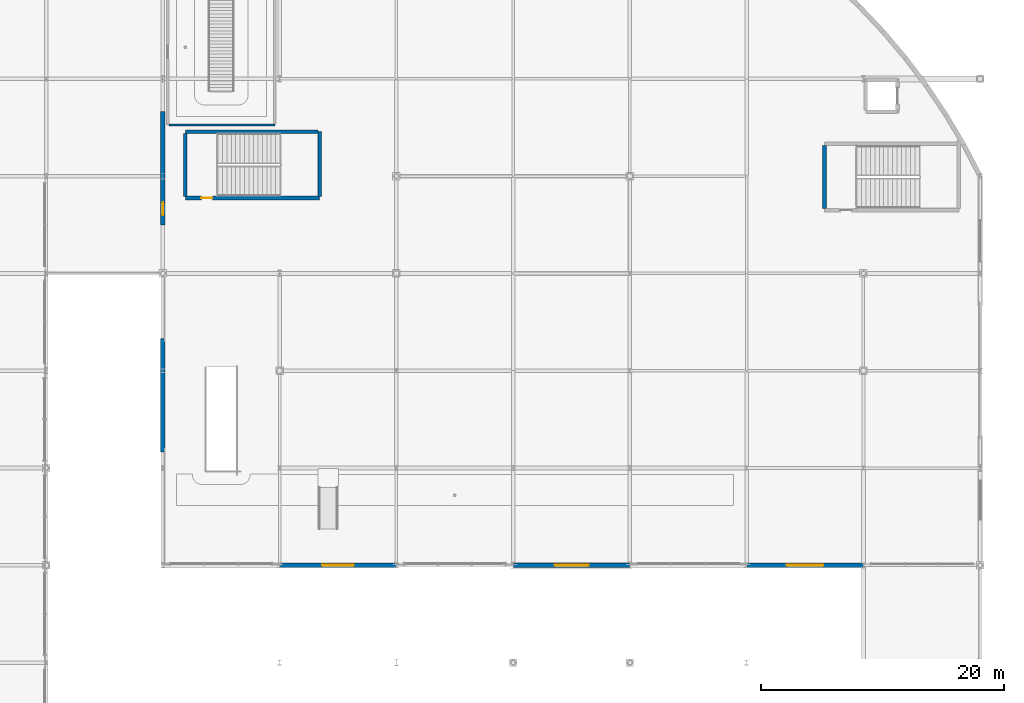
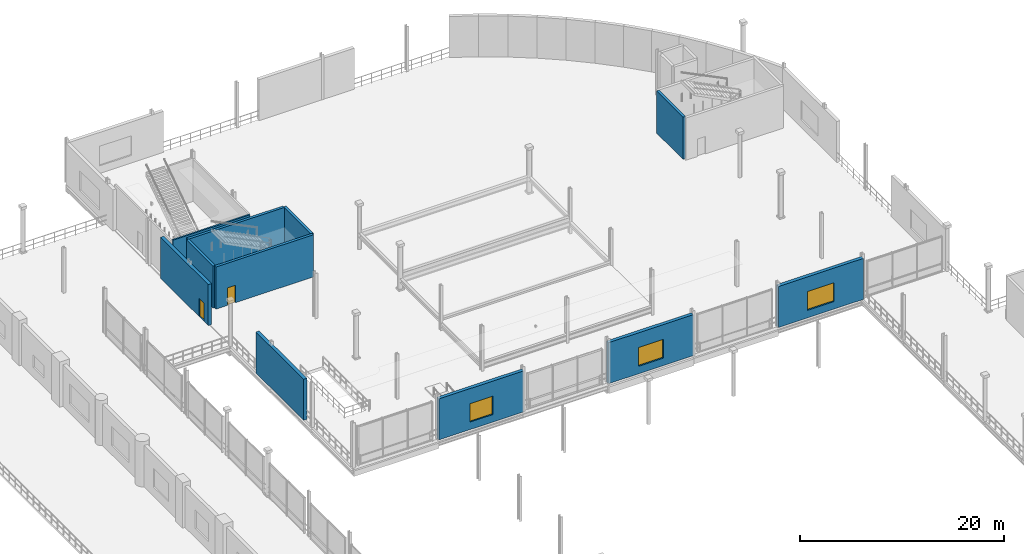
# One storey, part 83 of 129: 11 walls, 3 windows, 2 doors, 5 openings.
"""IFC4 building model written with IfcOpenShell, lengths in metres."""

from ifc_helpers import new_model, si_unit, direction, frame, frame_2d, origin, place, context, subcontext, project, spatial, rectangle, extrude, material, layer, layer_set, type_object, element, fill, save


model = new_model("IFC4")

# Units and contexts
model_context = context("Model", 3, precision=1e-05, world=origin(), true_north=direction((0.0, 1.0)))
body_context = subcontext(model_context, "Body", "Model", "MODEL_VIEW")
ifc_project = project(units=[si_unit("LENGTHUNIT", "METRE"), si_unit("AREAUNIT", "SQUARE_METRE"), si_unit("VOLUMEUNIT", "CUBIC_METRE"), si_unit("PLANEANGLEUNIT", "RADIAN"), si_unit("MASSUNIT", "GRAM", prefix="KILO")], contexts=[model_context])

# Site, building, storey
site_placement = place(None, origin())
site = spatial("IfcSite", under=ifc_project, at=site_placement, CompositionType="ELEMENT")
building_placement = place(site_placement, origin())
building = spatial("IfcBuilding", under=site, at=building_placement, Name="Danafjord Basin Convention Centre", CompositionType="ELEMENT")
storey_placement = place(building_placement, frame((0.0, 0.0, 6.0)))
storey = spatial("IfcBuildingStorey", under=building, at=storey_placement, Name="L01", CompositionType="ELEMENT", Elevation=6.0)

# Wall
ifc_material_1 = material(Name="Concrete C40/50", Category="concrete")
ifc_layer_1 = layer(ifc_material_1, 0.300048828125)
ifc_layer_set_1 = layer_set([ifc_layer_1], Name="Concrete C40/50")
wall_type_1 = type_object("IfcWallType", Name="WALL-CW-CORE300", PredefinedType="SHEAR", material=ifc_layer_set_1)
wall_1_placement = place(storey_placement, frame((188.800048828125, 122.52490234375, 0.0), z_axis=(0.0, 0.0, 1.0), x_axis=(0.0, -1.0, 0.0)))
element("IfcWall", 1, at=wall_1_placement, inside=storey, type_object=wall_type_1, Name="Plenary North-East Core Stair 1 core shear wall (west)", PredefinedType="SHEAR", context=body_context, shape_type="SweptSolid", body=[
    extrude(rectangle(XDim=5.18994140625, YDim=0.300048828125, at=frame_2d((2.594970703125, 0.0))), origin(), (0.0, 0.0, 1.0), 5.0400390625),
])

# Wall, opening, door
wall_2_placement = place(storey_placement, frame((136.25, 118.199951171875, 0.0), z_axis=(0.0, 0.0, 1.0), x_axis=(1.0, 0.0, 0.0)))
wall_2 = element("IfcWall", 2, at=wall_2_placement, inside=storey, type_object=wall_type_1, Name="Plenary West Escape Stair core shear wall (south)", PredefinedType="SHEAR", context=body_context, shape_type="SweptSolid", body=[
    extrude(rectangle(XDim=11.0400390625, YDim=0.300048828125, at=frame_2d((5.52001953125, 0.0))), origin(), (0.0, 0.0, 1.0), 5.0400390625),
])
opening_1_placement = place(wall_2_placement, frame((1.31201171875, 0.0, 0.0)))
opening_1 = element("IfcOpeningElement", 3, at=opening_1_placement, cuts=wall_2, Name="Opening FD-S01", PredefinedType="OPENING", context=body_context, shape_type="SweptSolid", body=[
    extrude(rectangle(XDim=0.909912109375, YDim=2.080078125, at=frame_2d((0.455078125, 1.0400390625))), frame((0.0, 0.159912109375, 0.0), z_axis=(0.0, -1.0, 0.0), x_axis=(1.0, 0.0, 0.0)), (0.0, 0.0, 1.0), 0.320068359375),
])
ifc_material_2 = material(Name="Powder-coated steel and Nordic oak", Category="steel")
door_type_1 = type_object("IfcDoorType", Name="DOOR-FD-S01", OperationType="NOTDEFINED", PredefinedType="DOOR", material=ifc_material_2)
door_1_placement = place(opening_1_placement, origin())
door_1 = element("IfcDoor", 4, at=door_1_placement, inside=storey, type_object=door_type_1, Name="Plenary West Escape Stair L01 Fire Exit Door", OperationType="SINGLE_SWING_RIGHT", OverallHeight=2.080078125, OverallWidth=0.909912109375, PredefinedType="DOOR", context=body_context, shape_type="SweptSolid", body=[
    extrude(rectangle(XDim=0.909912109375, YDim=2.080078125, at=frame_2d((0.455078125, 1.0400390625))), frame((0.0, 0.02490234375, 0.0), z_axis=(0.0, -1.0, 0.0), x_axis=(1.0, 0.0, 0.0)), (0.0, 0.0, 1.0), 0.050048828125),
])
fill(opening_1, door_1)

# Walls
wall_3_placement = place(storey_placement, frame((147.2900390625, 118.3349609375, 0.0), z_axis=(0.0, 0.0, 1.0), x_axis=(0.0, 1.0, 0.0)))
element("IfcWall", 5, at=wall_3_placement, inside=storey, type_object=wall_type_1, Name="Plenary West Escape Stair core shear wall (east)", PredefinedType="SHEAR", context=body_context, shape_type="SweptSolid", body=[
    extrude(rectangle(XDim=5.324951171875, YDim=0.300048828125, at=frame_2d((2.66259765625, 0.0))), origin(), (0.0, 0.0, 1.0), 5.0400390625),
])
wall_4_placement = place(storey_placement, frame((147.155029296875, 123.659912109375, 0.0), z_axis=(0.0, 0.0, 1.0), x_axis=(-1.0, 0.0, 0.0)))
element("IfcWall", 6, at=wall_4_placement, inside=storey, type_object=wall_type_1, Name="Plenary West Escape Stair core shear wall (north)", PredefinedType="SHEAR", context=body_context, shape_type="SweptSolid", body=[
    extrude(rectangle(XDim=10.905029296875, YDim=0.300048828125, at=frame_2d((5.45263671875, 0.0))), origin(), (0.0, 0.0, 1.0), 5.0400390625),
])
wall_5_placement = place(storey_placement, frame((136.25, 123.52490234375, 0.0), z_axis=(0.0, 0.0, 1.0), x_axis=(0.0, -1.0, 0.0)))
element("IfcWall", 7, at=wall_5_placement, inside=storey, type_object=wall_type_1, Name="Plenary West Escape Stair core shear wall (west)", PredefinedType="SHEAR", context=body_context, shape_type="SweptSolid", body=[
    extrude(rectangle(XDim=5.18994140625, YDim=0.300048828125, at=frame_2d((2.594970703125, 0.0))), origin(), (0.0, 0.0, 1.0), 5.0400390625),
])

# Wall, opening, window
ifc_material_3 = material(Name="Precast concrete C45/55", Category="concrete")
ifc_layer_2 = layer(ifc_material_3, 0.3798828125)
ifc_layer_set_2 = layer_set([ifc_layer_2], Name="Precast concrete C45/55")
wall_type_2 = type_object("IfcWallType", Name="WALL-EW-PC380", PredefinedType="SOLIDWALL", material=ifc_layer_set_2)
wall_6_placement = place(storey_placement, frame((144.0, 88.0, 0.0), z_axis=(0.0, 0.0, 1.0), x_axis=(1.0, 0.0, 0.0)))
wall_6 = element("IfcWall", 8, at=wall_6_placement, inside=storey, type_object=wall_type_2, Name="L01 plenary drum precast facet wall", PredefinedType="SOLIDWALL", context=body_context, shape_type="SweptSolid", body=[
    extrude(rectangle(XDim=9.60009765625, YDim=0.3798828125, at=frame_2d((4.800048828125, 0.0))), origin(), (0.0, 0.0, 1.0), 4.89990234375),
])
opening_2_placement = place(wall_6_placement, frame((3.5, 0.0, 0.89990234375)))
opening_2 = element("IfcOpeningElement", 9, at=opening_2_placement, cuts=wall_6, Name="Opening WN-08", PredefinedType="OPENING", context=body_context, shape_type="SweptSolid", body=[
    extrude(rectangle(XDim=2.60009765625, YDim=2.199951171875, at=frame_2d((1.300048828125, 1.10009765625))), frame((0.0, 0.199951171875, 0.0), z_axis=(0.0, -1.0, 0.0), x_axis=(1.0, 0.0, 0.0)), (0.0, 0.0, 1.0), 0.39990234375),
])
ifc_material_4 = material(Name="Thermally broken aluminium and triple low-E glass", Category="aluminium")
window_type_1 = type_object("IfcWindowType", Name="WIN-WN-08", PartitioningType="SINGLE_PANEL", PredefinedType="WINDOW", material=ifc_material_4)
window_1_placement = place(opening_2_placement, origin())
window_1 = element("IfcWindow", 10, at=window_1_placement, inside=storey, type_object=window_type_1, Name="L01 plenary drum window WN-08", OverallHeight=2.199951171875, OverallWidth=2.60009765625, PartitioningType="SINGLE_PANEL", PredefinedType="WINDOW", context=body_context, shape_type="SweptSolid", body=[
    extrude(rectangle(XDim=2.60009765625, YDim=2.199951171875, at=frame_2d((1.300048828125, 1.10009765625))), frame((0.0, 0.030029296875, 0.0), z_axis=(0.0, -1.0, 0.0), x_axis=(1.0, 0.0, 0.0)), (0.0, 0.0, 1.0), 0.06005859375),
])
fill(opening_2, window_1)

wall_7_placement = place(storey_placement, frame((163.199951171875, 88.0, 0.0), z_axis=(0.0, 0.0, 1.0), x_axis=(1.0, 0.0, 0.0)))
wall_7 = element("IfcWall", 11, at=wall_7_placement, inside=storey, type_object=wall_type_2, Name="L01 plenary drum precast facet wall", PredefinedType="SOLIDWALL", context=body_context, shape_type="SweptSolid", body=[
    extrude(rectangle(XDim=9.60009765625, YDim=0.3798828125, at=frame_2d((4.800048828125, 0.0))), origin(), (0.0, 0.0, 1.0), 4.89990234375),
])
opening_3_placement = place(wall_7_placement, frame((3.39990234375, 0.0, 0.89990234375)))
opening_3 = element("IfcOpeningElement", 12, at=opening_3_placement, cuts=wall_7, Name="Opening WN-09", PredefinedType="OPENING", context=body_context, shape_type="SweptSolid", body=[
    extrude(rectangle(XDim=2.800048828125, YDim=2.25, at=frame_2d((1.39990234375, 1.125))), frame((0.0, 0.199951171875, 0.0), z_axis=(0.0, -1.0, 0.0), x_axis=(1.0, 0.0, 0.0)), (0.0, 0.0, 1.0), 0.39990234375),
])
window_type_2 = type_object("IfcWindowType", Name="WIN-WN-09", PartitioningType="SINGLE_PANEL", PredefinedType="WINDOW", material=ifc_material_4)
window_2_placement = place(opening_3_placement, origin())
window_2 = element("IfcWindow", 13, at=window_2_placement, inside=storey, type_object=window_type_2, Name="L01 plenary drum window WN-09", OverallHeight=2.25, OverallWidth=2.800048828125, PartitioningType="SINGLE_PANEL", PredefinedType="WINDOW", context=body_context, shape_type="SweptSolid", body=[
    extrude(rectangle(XDim=2.800048828125, YDim=2.25, at=frame_2d((1.39990234375, 1.125))), frame((0.0, 0.030029296875, 0.0), z_axis=(0.0, -1.0, 0.0), x_axis=(1.0, 0.0, 0.0)), (0.0, 0.0, 1.0), 0.06005859375),
])
fill(opening_3, window_2)

wall_8_placement = place(storey_placement, frame((182.39990234375, 88.0, 0.0), z_axis=(0.0, 0.0, 1.0), x_axis=(1.0, 0.0, 0.0)))
wall_8 = element("IfcWall", 14, at=wall_8_placement, inside=storey, type_object=wall_type_2, Name="L01 plenary drum precast facet wall", PredefinedType="SOLIDWALL", context=body_context, shape_type="SweptSolid", body=[
    extrude(rectangle(XDim=9.60009765625, YDim=0.3798828125, at=frame_2d((4.800048828125, 0.0))), origin(), (0.0, 0.0, 1.0), 4.89990234375),
])
opening_4_placement = place(wall_8_placement, frame((3.300048828125, 0.0, 0.89990234375)))
opening_4 = element("IfcOpeningElement", 15, at=opening_4_placement, cuts=wall_8, Name="Opening WN-10", PredefinedType="OPENING", context=body_context, shape_type="SweptSolid", body=[
    extrude(rectangle(XDim=3.0, YDim=2.25, at=frame_2d((1.5, 1.125))), frame((0.0, 0.199951171875, 0.0), z_axis=(0.0, -1.0, 0.0), x_axis=(1.0, 0.0, 0.0)), (0.0, 0.0, 1.0), 0.39990234375),
])
window_type_3 = type_object("IfcWindowType", Name="WIN-WN-10", PartitioningType="SINGLE_PANEL", PredefinedType="WINDOW", material=ifc_material_4)
window_3_placement = place(opening_4_placement, origin())
window_3 = element("IfcWindow", 16, at=window_3_placement, inside=storey, type_object=window_type_3, Name="L01 plenary drum window WN-10", OverallHeight=2.25, OverallWidth=3.0, PartitioningType="SINGLE_PANEL", PredefinedType="WINDOW", context=body_context, shape_type="SweptSolid", body=[
    extrude(rectangle(XDim=3.0, YDim=2.25, at=frame_2d((1.5, 1.125))), frame((0.0, 0.030029296875, 0.0), z_axis=(0.0, -1.0, 0.0), x_axis=(1.0, 0.0, 0.0)), (0.0, 0.0, 1.0), 0.06005859375),
])
fill(opening_4, window_3)

# Wall, opening, door
wall_9_placement = place(storey_placement, frame((134.39990234375, 125.3330078125, 0.0), z_axis=(0.0, 0.0, 1.0), x_axis=(0.0, -1.0, 0.0)))
wall_9 = element("IfcWall", 17, at=wall_9_placement, inside=storey, type_object=wall_type_2, Name="L01 plenary drum precast facet wall", PredefinedType="SOLIDWALL", context=body_context, shape_type="SweptSolid", body=[
    extrude(rectangle(XDim=9.3330078125, YDim=0.3798828125, at=frame_2d((4.66650390625, 0.0))), origin(), (0.0, 0.0, 1.0), 4.89990234375),
])
opening_5_placement = place(wall_9_placement, frame((7.48291015625, 0.0, 0.0)))
opening_5 = element("IfcOpeningElement", 18, at=opening_5_placement, cuts=wall_9, Name="Opening FD-S06", PredefinedType="OPENING", context=body_context, shape_type="SweptSolid", body=[
    extrude(rectangle(XDim=1.06005859375, YDim=2.159912109375, at=frame_2d((0.530029296875, 1.080078125))), frame((0.0, 0.199951171875, 0.0), z_axis=(0.0, -1.0, 0.0), x_axis=(1.0, 0.0, 0.0)), (0.0, 0.0, 1.0), 0.39990234375),
])
door_type_2 = type_object("IfcDoorType", Name="DOOR-FD-S06", OperationType="NOTDEFINED", PredefinedType="DOOR", material=ifc_material_2)
door_2_placement = place(opening_5_placement, origin())
door_2 = element("IfcDoor", 19, at=door_2_placement, inside=storey, type_object=door_type_2, Name="Skywalk to Plenary Mezzanine Fire Door", OperationType="SINGLE_SWING_LEFT", OverallHeight=2.159912109375, OverallWidth=1.06005859375, PredefinedType="DOOR", context=body_context, shape_type="SweptSolid", body=[
    extrude(rectangle(XDim=1.06005859375, YDim=2.159912109375, at=frame_2d((0.530029296875, 1.080078125))), frame((0.0, 0.02490234375, 0.0), z_axis=(0.0, -1.0, 0.0), x_axis=(1.0, 0.0, 0.0)), (0.0, 0.0, 1.0), 0.050048828125),
])
fill(opening_5, door_2)

# Walls
wall_10_placement = place(storey_placement, frame((134.39990234375, 106.6669921875, 0.0), z_axis=(0.0, 0.0, 1.0), x_axis=(0.0, -1.0, 0.0)))
element("IfcWall", 20, at=wall_10_placement, inside=storey, type_object=wall_type_2, Name="L01 plenary drum precast facet wall", PredefinedType="SOLIDWALL", context=body_context, shape_type="SweptSolid", body=[
    extrude(rectangle(XDim=9.333984375, YDim=0.3798828125, at=frame_2d((4.6669921875, 0.0))), origin(), (0.0, 0.0, 1.0), 4.89990234375),
])
ifc_material_5 = material(Name="Acoustic double-board gypsum stud partition")
ifc_layer_3 = layer(ifc_material_5, 0.175048828125)
ifc_layer_set_3 = layer_set([ifc_layer_3], Name="Acoustic double-board gypsum stud partition")
wall_type_3 = type_object("IfcWallType", Name="WALL-PT-AC175", PredefinedType="PARTITIONING", material=ifc_layer_set_3)
wall_11_placement = place(storey_placement, frame((134.8916015625, 124.199951171875, 0.0), z_axis=(0.0, 0.0, 1.0), x_axis=(1.0, 0.0, 0.0)))
element("IfcWall", 21, at=wall_11_placement, inside=storey, type_object=wall_type_3, Name="Speaker Media and Interpretation Suite south partition", PredefinedType="PARTITIONING", context=body_context, shape_type="SweptSolid", body=[
    extrude(rectangle(XDim=8.70849609375, YDim=0.175048828125, at=frame_2d((4.354248046875, 0.0))), origin(), (0.0, 0.0, 1.0), 5.0400390625),
])

save(model, "model.ifc")
